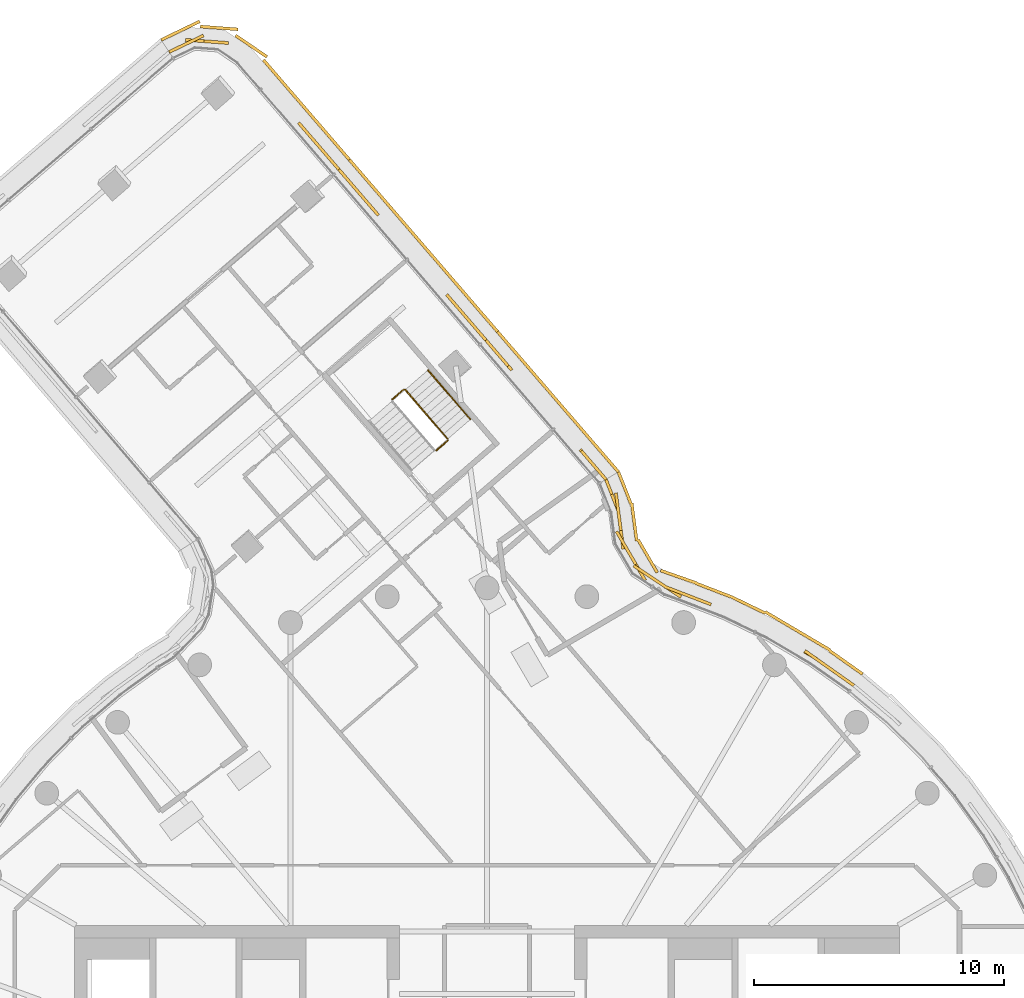
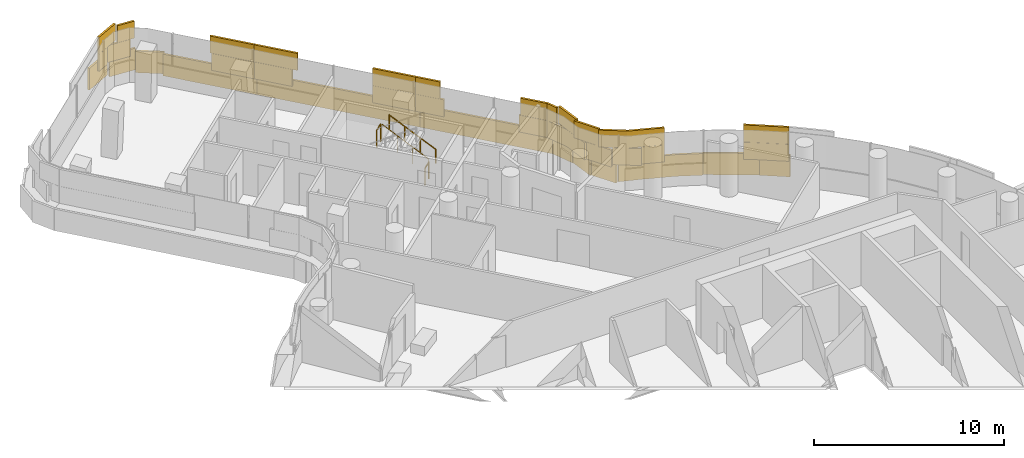
# One storey, part 33 of 34: 4 coverings, 4 railings.
"""IFC4 building model written with IfcOpenShell, lengths in metres."""

from ifc_helpers import new_model, si_unit, direction, frame, origin, origin_2d, place, context, subcontext, project, spatial, rectangle, circle, extrude, material, layer, layer_set, type_object, element, save


model = new_model("IFC4")

# Units and contexts
model_context = context("Model", 3, precision=1e-05, world=origin(), true_north=direction((0.0, 1.0)))
body_context = subcontext(model_context, "Body", "Model", "MODEL_VIEW")
ifc_project = project(units=[si_unit("LENGTHUNIT", "METRE"), si_unit("AREAUNIT", "SQUARE_METRE"), si_unit("VOLUMEUNIT", "CUBIC_METRE"), si_unit("PLANEANGLEUNIT", "RADIAN"), si_unit("MASSUNIT", "GRAM", prefix="KILO")], contexts=[model_context])

# Site, building, storey
site_placement = place(None, origin())
site = spatial("IfcSite", under=ifc_project, at=site_placement, CompositionType="ELEMENT")
building_placement = place(site_placement, origin())
building = spatial("IfcBuilding", under=site, at=building_placement, Name="Tamarind Cross Interchange Tower", CompositionType="ELEMENT")
storey_placement = place(building_placement, frame((0.0, 0.0, 182.5)))
storey = spatial("IfcBuildingStorey", under=building, at=storey_placement, Name="L45", CompositionType="ELEMENT", Elevation=182.5)

# Railings
ifc_material_1 = material(Name="Stair guard")
railing_type_1 = type_object("IfcRailingType", Name="Stair guard", PredefinedType="GUARDRAIL", material=ifc_material_1)
railing_1_placement = place(storey_placement, frame((-1.57421875, 28.95947265625, 0.16357421875)))
element("IfcRailing", 1, at=railing_1_placement, inside=storey, type_object=railing_type_1, Name="L45 ST4 stair guard 1", PredefinedType="GUARDRAIL", context=body_context, shape_type="SweptSolid", body=[
    extrude(circle(Radius=0.02392578125, at=origin_2d()), frame((0.0, 0.0, 1.076171875), z_axis=(-0.552399171702, 0.641167676203, 0.53269049747), x_axis=(-0.757603689801, -0.652714829922, 0.0)), (0.0, 0.0, 1.0), 3.072021484375),
    extrude(circle(Radius=0.02099609375, at=origin_2d()), origin(), (0.0, 0.0, 1.0), 1.052001953125),
    extrude(circle(Radius=0.02099609375, at=origin_2d()), frame((-0.565673828125, 0.656494140625, 0.54541015625)), (0.0, 0.0, 1.0), 1.052001953125),
    extrude(circle(Radius=0.02099609375, at=origin_2d()), frame((-1.13134765625, 1.313232421875, 1.091064453125)), (0.0, 0.0, 1.0), 1.052001953125),
    extrude(circle(Radius=0.02099609375, at=origin_2d()), frame((-1.697021484375, 1.9697265625, 1.636474609375)), (0.0, 0.0, 1.0), 1.052001953125),
])
railing_2_placement = place(storey_placement, frame((-3.341796875, 30.9345703125, 1.800048828125)))
element("IfcRailing", 2, at=railing_2_placement, inside=storey, type_object=railing_type_1, Name="L45 ST4 stair guard 2", PredefinedType="GUARDRAIL", context=body_context, shape_type="SweptSolid", body=[
    extrude(circle(Radius=0.02392578125, at=origin_2d()), frame((0.0, 0.0, 1.076171875), z_axis=(-0.757444645977, -0.652899386032, 0.0), x_axis=(0.652899386032, -0.757444645977, 0.0)), (0.0, 0.0, 1.0), 0.60009765625),
    extrude(circle(Radius=0.02099609375, at=origin_2d()), origin(), (0.0, 0.0, 1.0), 1.052001953125),
    extrude(circle(Radius=0.02099609375, at=origin_2d()), frame((-0.45458984375, -0.391845703125, 0.0)), (0.0, 0.0, 1.0), 1.052001953125),
])
railing_3_placement = place(storey_placement, frame((-1.579345703125, 28.888916015625, 0.0)))
element("IfcRailing", 3, at=railing_3_placement, inside=storey, type_object=railing_type_1, Name="L45 ST4 stair guard 4", PredefinedType="GUARDRAIL", context=body_context, shape_type="SweptSolid", body=[
    extrude(circle(Radius=0.02392578125, at=origin_2d()), frame((0.0, 0.0, 1.076171875), z_axis=(-0.75764583583, -0.652665907987, 0.0), x_axis=(0.652665907987, -0.75764583583, 0.0)), (0.0, 0.0, 1.0), 0.60009765625),
    extrude(circle(Radius=0.02099609375, at=origin_2d()), origin(), (0.0, 0.0, 1.0), 1.052001953125),
    extrude(circle(Radius=0.02099609375, at=origin_2d()), frame((-0.45458984375, -0.3916015625, 0.0)), (0.0, 0.0, 1.0), 1.052001953125),
])
ifc_material_2 = material(Name="Stair handrail")
railing_type_2 = type_object("IfcRailingType", Name="Stair handrail", PredefinedType="HANDRAIL", material=ifc_material_2)
railing_4_placement = place(storey_placement, frame((-0.6650390625, 29.74267578125, 0.16357421875)))
element("IfcRailing", 4, at=railing_4_placement, inside=storey, type_object=railing_type_2, Name="L45 ST4 stair handrail 1", PredefinedType="HANDRAIL", context=body_context, shape_type="SweptSolid", body=[
    extrude(circle(Radius=0.02392578125, at=origin_2d()), frame((0.0, 0.0, 0.8759765625), z_axis=(-0.552399171702, 0.641167676203, 0.53269049747), x_axis=(-0.757603689801, -0.652714829922, 0.0)), (0.0, 0.0, 1.0), 3.072021484375),
    extrude(circle(Radius=0.02099609375, at=origin_2d()), origin(), (0.0, 0.0, 1.0), 0.851806640625),
    extrude(circle(Radius=0.02099609375, at=origin_2d()), frame((-0.565673828125, 0.656494140625, 0.54541015625)), (0.0, 0.0, 1.0), 0.851806640625),
    extrude(circle(Radius=0.02099609375, at=origin_2d()), frame((-1.13134765625, 1.313232421875, 1.091064453125)), (0.0, 0.0, 1.0), 0.851806640625),
    extrude(circle(Radius=0.02099609375, at=origin_2d()), frame((-1.697021484375, 1.9697265625, 1.636474609375)), (0.0, 0.0, 1.0), 0.851806640625),
])

# Coverings
ifc_material_3 = material(Name="Terracotta", Category="masonry")
ifc_layer = layer(ifc_material_3, 0.1201171875)
ifc_layer_set = layer_set([ifc_layer], Name="Terracotta")
covering_type = type_object("IfcCoveringType", Name="Terracotta baguette screen unit", PredefinedType="MOLDING", material=ifc_layer_set)
covering_1_placement = place(storey_placement, origin())
element("IfcCovering", 5, at=covering_1_placement, inside=storey, type_object=covering_type, Name="SCR-L45-10-05", PredefinedType="MOLDING", context=body_context, shape_type="SweptSolid", body=[
    extrude(rectangle(XDim=0.326416015625, YDim=0.1201171875, at=origin_2d()), frame((14.547607421875, 19.187255859375, 1.40380859375), z_axis=(0.0, 0.0, 1.0), x_axis=(-0.816341886298, 0.577568978284, 0.0)), (0.0, 0.0, 1.0), 1.092041015625),
    extrude(rectangle(XDim=1.52001953125, YDim=0.1201171875, at=origin_2d()), frame((13.80615234375, 19.711669921875, 1.40380859375), z_axis=(0.0, 0.0, 1.0), x_axis=(-0.816341886298, 0.577568978284, 0.0)), (0.0, 0.0, 1.0), 1.092041015625),
    extrude(rectangle(XDim=0.587646484375, YDim=0.1201171875, at=origin_2d()), frame((12.950927734375, 20.30078125, 1.40380859375), z_axis=(0.0, 0.0, 1.0), x_axis=(-0.861248933065, 0.508183308752, 0.0)), (0.0, 0.0, 1.0), 1.092041015625),
    extrude(rectangle(XDim=1.232421875, YDim=0.1201171875, at=origin_2d()), frame((8.38916015625, 22.5576171875, 1.40380859375), z_axis=(0.0, 0.0, 1.0), x_axis=(-0.933146843667, 0.359495435512, 0.0)), (0.0, 0.0, 1.0), 1.092041015625),
    extrude(rectangle(XDim=1.52001953125, YDim=0.1201171875, at=origin_2d()), frame((7.1259765625, 23.056396484375, 1.40380859375), z_axis=(0.0, 0.0, 1.0), x_axis=(-0.834136941466, 0.551557397631, 0.0)), (0.0, 0.0, 1.0), 1.092041015625),
    extrude(rectangle(XDim=1.52001953125, YDim=0.1201171875, at=origin_2d()), frame((5.947509765625, 23.952392578125, 1.40380859375), z_axis=(0.0, 0.0, 1.0), x_axis=(-0.504464852663, 0.863432228045, 0.0)), (0.0, 0.0, 1.0), 1.092041015625),
    extrude(rectangle(XDim=1.52001953125, YDim=0.1201171875, at=origin_2d()), frame((5.353515625, 25.30322265625, 1.40380859375), z_axis=(0.0, 0.0, 1.0), x_axis=(-0.130303233197, 0.991474188982, 0.0)), (0.0, 0.0, 1.0), 1.092041015625),
    extrude(rectangle(XDim=1.3974609375, YDim=0.1201171875, at=origin_2d()), frame((5.011474609375, 26.69482421875, 1.40380859375), z_axis=(0.0, 0.0, 1.0), x_axis=(-0.366235065524, 0.930522367695, 0.0)), (0.0, 0.0, 1.0), 1.092041015625),
    extrude(rectangle(XDim=1.076416015625, YDim=0.1201171875, at=origin_2d()), frame((14.241455078125, 19.40380859375, 2.50390625), z_axis=(0.0, 0.0, 1.0), x_axis=(-0.816341886298, 0.577568978284, 0.0)), (0.0, 0.0, 1.0), 1.092041015625),
    extrude(rectangle(XDim=1.337646484375, YDim=0.1201171875, at=origin_2d()), frame((13.26416015625, 20.094970703125, 2.50390625), z_axis=(0.0, 0.0, 1.0), x_axis=(-0.816341886298, 0.577568978284, 0.0)), (0.0, 0.0, 1.0), 1.092041015625),
    extrude(rectangle(XDim=0.482421875, YDim=0.1201171875, at=origin_2d()), frame((8.739013671875, 22.4228515625, 2.50390625), z_axis=(0.0, 0.0, 1.0), x_axis=(-0.933146843667, 0.359495435512, 0.0)), (0.0, 0.0, 1.0), 1.092041015625),
    extrude(rectangle(XDim=1.52001953125, YDim=0.1201171875, at=origin_2d()), frame((7.81884765625, 22.77734375, 2.50390625), z_axis=(0.0, 0.0, 1.0), x_axis=(-0.933146843667, 0.359495435512, 0.0)), (0.0, 0.0, 1.0), 1.092041015625),
    extrude(rectangle(XDim=1.52001953125, YDim=0.1201171875, at=origin_2d()), frame((6.50048828125, 23.469970703125, 2.50390625), z_axis=(0.0, 0.0, 1.0), x_axis=(-0.834136941466, 0.551557397631, 0.0)), (0.0, 0.0, 1.0), 1.092041015625),
    extrude(rectangle(XDim=1.52001953125, YDim=0.1201171875, at=origin_2d()), frame((5.5693359375, 24.60009765625, 2.50390625), z_axis=(0.0, 0.0, 1.0), x_axis=(-0.504464852663, 0.863432228045, 0.0)), (0.0, 0.0, 1.0), 1.092041015625),
    extrude(rectangle(XDim=1.52001953125, YDim=0.1201171875, at=origin_2d()), frame((5.255859375, 26.046875, 2.50390625), z_axis=(0.0, 0.0, 1.0), x_axis=(-0.130303233197, 0.991474188982, 0.0)), (0.0, 0.0, 1.0), 1.092041015625),
    extrude(rectangle(XDim=0.6474609375, YDim=0.1201171875, at=origin_2d()), frame((4.874267578125, 27.043701171875, 2.50390625), z_axis=(0.0, 0.0, 1.0), x_axis=(-0.366235065524, 0.930522367695, 0.0)), (0.0, 0.0, 1.0), 1.092041015625),
    extrude(rectangle(XDim=0.13037109375, YDim=0.1201171875, at=origin_2d()), frame((14.973388671875, 19.5888671875, 0.00390625), z_axis=(0.0, 0.0, 1.0), x_axis=(-0.816341886298, 0.577568978284, 0.0)), (0.0, 0.0, 1.0), 1.39208984375),
    extrude(rectangle(XDim=1.52001953125, YDim=0.1201171875, at=origin_2d()), frame((14.316162109375, 20.053955078125, 0.00390625), z_axis=(0.0, 0.0, 1.0), x_axis=(-0.816341886298, 0.577568978284, 0.0)), (0.0, 0.0, 1.0), 1.39208984375),
    extrude(rectangle(XDim=1.52001953125, YDim=0.1201171875, at=origin_2d()), frame((13.07470703125, 20.894287109375, 0.00390625), z_axis=(0.0, 0.0, 1.0), x_axis=(-0.861248933065, 0.508183308752, 0.0)), (0.0, 0.0, 1.0), 1.39208984375),
    extrude(rectangle(XDim=1.52001953125, YDim=0.1201171875, at=origin_2d()), frame((11.78271484375, 21.656494140625, 0.00390625), z_axis=(0.0, 0.0, 1.0), x_axis=(-0.861248933065, 0.508183308752, 0.0)), (0.0, 0.0, 1.0), 1.39208984375),
    extrude(rectangle(XDim=1.52001953125, YDim=0.1201171875, at=origin_2d()), frame((10.438720703125, 22.3212890625, 0.00390625), z_axis=(0.0, 0.0, 1.0), x_axis=(-0.900272776334, 0.435326231914, 0.0)), (0.0, 0.0, 1.0), 1.39208984375),
    extrude(rectangle(XDim=1.52001953125, YDim=0.1201171875, at=origin_2d()), frame((9.06201171875, 22.91357421875, 0.00390625), z_axis=(0.0, 0.0, 1.0), x_axis=(-0.933146843667, 0.359495435512, 0.0)), (0.0, 0.0, 1.0), 1.39208984375),
    extrude(rectangle(XDim=1.52001953125, YDim=0.1201171875, at=origin_2d()), frame((7.6591796875, 23.44482421875, 0.00390625), z_axis=(0.0, 0.0, 1.0), x_axis=(-0.943748553445, 0.330663980303, 0.0)), (0.0, 0.0, 1.0), 1.39208984375),
    extrude(rectangle(XDim=1.52001953125, YDim=0.1201171875, at=origin_2d()), frame((6.42724609375, 24.269287109375, 0.00390625), z_axis=(0.0, 0.0, 1.0), x_axis=(-0.504464852663, 0.863432228045, 0.0)), (0.0, 0.0, 1.0), 1.39208984375),
    extrude(rectangle(XDim=1.52001953125, YDim=0.1201171875, at=origin_2d()), frame((5.888427734375, 25.638916015625, 0.00390625), z_axis=(0.0, 0.0, 1.0), x_axis=(-0.130303233197, 0.991474188982, 0.0)), (0.0, 0.0, 1.0), 1.39208984375),
    extrude(rectangle(XDim=1.37255859375, YDim=0.1201171875, at=origin_2d()), frame((5.50732421875, 27.002685546875, 0.00390625), z_axis=(0.0, 0.0, 1.0), x_axis=(-0.366235065524, 0.930522367695, 0.0)), (0.0, 0.0, 1.0), 1.39208984375),
])
covering_2_placement = place(storey_placement, origin())
element("IfcCovering", 6, at=covering_2_placement, inside=storey, type_object=covering_type, Name="SCR-L45-11-00", PredefinedType="MOLDING", context=body_context, shape_type="SweptSolid", body=[
    extrude(rectangle(XDim=0.760009765625, YDim=0.1201171875, at=origin_2d()), frame((4.5126953125, 27.62451171875, 1.40380859375), z_axis=(0.0, 0.0, 1.0), x_axis=(-0.652722730074, 0.757596883339, 0.0)), (0.0, 0.0, 1.0), 1.092041015625),
    extrude(rectangle(XDim=0.83642578125, YDim=0.1201171875, at=origin_2d()), frame((3.998046875, 28.2216796875, 1.40380859375), z_axis=(0.0, 0.0, 1.0), x_axis=(-0.652722730074, 0.757596883339, 0.0)), (0.0, 0.0, 1.0), 1.092041015625),
    extrude(rectangle(XDim=0.9833984375, YDim=0.1201171875, at=origin_2d()), frame((0.669189453125, 32.08544921875, 1.40380859375), z_axis=(0.0, 0.0, 1.0), x_axis=(-0.652722730074, 0.757596883339, 0.0)), (0.0, 0.0, 1.0), 1.092041015625),
    extrude(rectangle(XDim=0.613037109375, YDim=0.1201171875, at=origin_2d()), frame((0.15478515625, 32.6826171875, 1.40380859375), z_axis=(0.0, 0.0, 1.0), x_axis=(-0.652722730074, 0.757596883339, 0.0)), (0.0, 0.0, 1.0), 1.092041015625),
    extrude(rectangle(XDim=1.510009765625, YDim=0.1201171875, at=origin_2d()), frame((4.267822265625, 27.908447265625, 2.50390625), z_axis=(0.0, 0.0, 1.0), x_axis=(-0.652722730074, 0.757596883339, 0.0)), (0.0, 0.0, 1.0), 1.092041015625),
    extrude(rectangle(XDim=1.363037109375, YDim=0.1201171875, at=origin_2d()), frame((0.3994140625, 32.3984375, 2.50390625), z_axis=(0.0, 0.0, 1.0), x_axis=(-0.652722730074, 0.757596883339, 0.0)), (0.0, 0.0, 1.0), 1.092041015625),
    extrude(rectangle(XDim=0.760009765625, YDim=0.1201171875, at=origin_2d()), frame((5.0078125, 27.92919921875, 0.00390625), z_axis=(0.0, 0.0, 1.0), x_axis=(-0.652722730074, 0.757596883339, 0.0)), (0.0, 0.0, 1.0), 1.39208984375),
    extrude(rectangle(XDim=1.52001953125, YDim=0.1201171875, at=origin_2d()), frame((4.27685546875, 28.777587890625, 0.00390625), z_axis=(0.0, 0.0, 1.0), x_axis=(-0.652722730074, 0.757596883339, 0.0)), (0.0, 0.0, 1.0), 1.39208984375),
    extrude(rectangle(XDim=1.52001953125, YDim=0.1201171875, at=origin_2d()), frame((3.297607421875, 29.9140625, 0.00390625), z_axis=(0.0, 0.0, 1.0), x_axis=(-0.652722730074, 0.757596883339, 0.0)), (0.0, 0.0, 1.0), 1.39208984375),
    extrude(rectangle(XDim=1.52001953125, YDim=0.1201171875, at=origin_2d()), frame((2.318603515625, 31.05029296875, 0.00390625), z_axis=(0.0, 0.0, 1.0), x_axis=(-0.652722730074, 0.757596883339, 0.0)), (0.0, 0.0, 1.0), 1.39208984375),
    extrude(rectangle(XDim=1.52001953125, YDim=0.1201171875, at=origin_2d()), frame((1.339599609375, 32.186767578125, 0.00390625), z_axis=(0.0, 0.0, 1.0), x_axis=(-0.652722730074, 0.757596883339, 0.0)), (0.0, 0.0, 1.0), 1.39208984375),
    extrude(rectangle(XDim=0.670166015625, YDim=0.1201171875, at=origin_2d()), frame((0.637939453125, 33.001220703125, 0.00390625), z_axis=(0.0, 0.0, 1.0), x_axis=(-0.652722730074, 0.757596883339, 0.0)), (0.0, 0.0, 1.0), 1.39208984375),
])
covering_3_placement = place(storey_placement, origin())
element("IfcCovering", 7, at=covering_3_placement, inside=storey, type_object=covering_type, Name="SCR-L45-11-01", PredefinedType="MOLDING", context=body_context, shape_type="SweptSolid", body=[
    extrude(rectangle(XDim=0.906982421875, YDim=0.1201171875, at=origin_2d()), frame((-0.334716796875, 33.250732421875, 1.40380859375), z_axis=(0.0, 0.0, 1.0), x_axis=(-0.652722730074, 0.757596883339, 0.0)), (0.0, 0.0, 1.0), 1.092041015625),
    extrude(rectangle(XDim=1.52001953125, YDim=0.1201171875, at=origin_2d()), frame((-1.116943359375, 34.15869140625, 1.40380859375), z_axis=(0.0, 0.0, 1.0), x_axis=(-0.652722730074, 0.757596883339, 0.0)), (0.0, 0.0, 1.0), 1.092041015625),
    extrude(rectangle(XDim=1.52001953125, YDim=0.1201171875, at=origin_2d()), frame((-5.033447265625, 38.704345703125, 1.40380859375), z_axis=(0.0, 0.0, 1.0), x_axis=(-0.652722730074, 0.757596883339, 0.0)), (0.0, 0.0, 1.0), 1.092041015625),
    extrude(rectangle(XDim=0.6240234375, YDim=0.1201171875, at=origin_2d()), frame((-5.723388671875, 39.505126953125, 1.40380859375), z_axis=(0.0, 0.0, 1.0), x_axis=(-0.652722730074, 0.757596883339, 0.0)), (0.0, 0.0, 1.0), 1.092041015625),
    extrude(rectangle(XDim=0.156982421875, YDim=0.1201171875, at=origin_2d()), frame((-0.090087890625, 32.966796875, 2.50390625), z_axis=(0.0, 0.0, 1.0), x_axis=(-0.652722730074, 0.757596883339, 0.0)), (0.0, 0.0, 1.0), 1.092041015625),
    extrude(rectangle(XDim=1.52001953125, YDim=0.1201171875, at=origin_2d()), frame((-0.62744140625, 33.590576171875, 2.50390625), z_axis=(0.0, 0.0, 1.0), x_axis=(-0.652722730074, 0.757596883339, 0.0)), (0.0, 0.0, 1.0), 1.092041015625),
    extrude(rectangle(XDim=0.7685546875, YDim=0.1201171875, at=origin_2d()), frame((-1.36474609375, 34.446044921875, 2.50390625), z_axis=(0.0, 0.0, 1.0), x_axis=(-0.652722730074, 0.757596883339, 0.0)), (0.0, 0.0, 1.0), 1.092041015625),
    extrude(rectangle(XDim=1.051513671875, YDim=0.1201171875, at=origin_2d()), frame((-4.693603515625, 38.309814453125, 2.50390625), z_axis=(0.0, 0.0, 1.0), x_axis=(-0.652722730074, 0.757596883339, 0.0)), (0.0, 0.0, 1.0), 1.092041015625),
    extrude(rectangle(XDim=1.3740234375, YDim=0.1201171875, at=origin_2d()), frame((-5.478515625, 39.220947265625, 2.50390625), z_axis=(0.0, 0.0, 1.0), x_axis=(-0.652722730074, 0.757596883339, 0.0)), (0.0, 0.0, 1.0), 1.092041015625),
    extrude(rectangle(XDim=0.849853515625, YDim=0.1201171875, at=origin_2d()), frame((0.141845703125, 33.5771484375, 0.00390625), z_axis=(0.0, 0.0, 1.0), x_axis=(-0.652722730074, 0.757596883339, 0.0)), (0.0, 0.0, 1.0), 1.39208984375),
    extrude(rectangle(XDim=1.52001953125, YDim=0.1201171875, at=origin_2d()), frame((-0.61865234375, 34.459716796875, 0.00390625), z_axis=(0.0, 0.0, 1.0), x_axis=(-0.652722730074, 0.757596883339, 0.0)), (0.0, 0.0, 1.0), 1.39208984375),
    extrude(rectangle(XDim=1.52001953125, YDim=0.1201171875, at=origin_2d()), frame((-1.59765625, 35.595947265625, 0.00390625), z_axis=(0.0, 0.0, 1.0), x_axis=(-0.652722730074, 0.757596883339, 0.0)), (0.0, 0.0, 1.0), 1.39208984375),
    extrude(rectangle(XDim=1.52001953125, YDim=0.1201171875, at=origin_2d()), frame((-2.576904296875, 36.732421875, 0.00390625), z_axis=(0.0, 0.0, 1.0), x_axis=(-0.652722730074, 0.757596883339, 0.0)), (0.0, 0.0, 1.0), 1.39208984375),
    extrude(rectangle(XDim=1.52001953125, YDim=0.1201171875, at=origin_2d()), frame((-3.555908203125, 37.868896484375, 0.00390625), z_axis=(0.0, 0.0, 1.0), x_axis=(-0.652722730074, 0.757596883339, 0.0)), (0.0, 0.0, 1.0), 1.39208984375),
    extrude(rectangle(XDim=1.52001953125, YDim=0.1201171875, at=origin_2d()), frame((-4.534912109375, 39.005126953125, 0.00390625), z_axis=(0.0, 0.0, 1.0), x_axis=(-0.652722730074, 0.757596883339, 0.0)), (0.0, 0.0, 1.0), 1.39208984375),
    extrude(rectangle(XDim=0.751220703125, YDim=0.1201171875, at=origin_2d()), frame((-5.26318359375, 39.850341796875, 0.00390625), z_axis=(0.0, 0.0, 1.0), x_axis=(-0.652722730074, 0.757596883339, 0.0)), (0.0, 0.0, 1.0), 1.39208984375),
])
covering_4_placement = place(storey_placement, origin())
element("IfcCovering", 8, at=covering_4_placement, inside=storey, type_object=covering_type, Name="SCR-L45-11-02", PredefinedType="MOLDING", context=body_context, shape_type="SweptSolid", body=[
    extrude(rectangle(XDim=0.89599609375, YDim=0.1201171875, at=origin_2d()), frame((-6.212890625, 40.0732421875, 1.40380859375), z_axis=(0.0, 0.0, 1.0), x_axis=(-0.652722730074, 0.757596883339, 0.0)), (0.0, 0.0, 1.0), 1.092041015625),
    extrude(rectangle(XDim=1.52001953125, YDim=0.1201171875, at=origin_2d()), frame((-6.991455078125, 40.97705078125, 1.40380859375), z_axis=(0.0, 0.0, 1.0), x_axis=(-0.652722730074, 0.757596883339, 0.0)), (0.0, 0.0, 1.0), 1.092041015625),
    extrude(rectangle(XDim=1.52001953125, YDim=0.1201171875, at=origin_2d()), frame((-11.315185546875, 44.875244140625, 1.40380859375), z_axis=(0.0, 0.0, 1.0), x_axis=(-0.997246562285, 0.074157224945, 0.0)), (0.0, 0.0, 1.0), 1.092041015625),
    extrude(rectangle(XDim=0.772705078125, YDim=0.1201171875, at=origin_2d()), frame((-12.376953125, 44.6083984375, 1.40380859375), z_axis=(0.0, 0.0, 1.0), x_axis=(-0.900719469248, -0.434401240466, 0.0)), (0.0, 0.0, 1.0), 1.092041015625),
    extrude(rectangle(XDim=0.14599609375, YDim=0.1201171875, at=origin_2d()), frame((-5.968017578125, 39.789306640625, 2.50390625), z_axis=(0.0, 0.0, 1.0), x_axis=(-0.652722730074, 0.757596883339, 0.0)), (0.0, 0.0, 1.0), 1.092041015625),
    extrude(rectangle(XDim=1.52001953125, YDim=0.1201171875, at=origin_2d()), frame((-6.501953125, 40.408935546875, 2.50390625), z_axis=(0.0, 0.0, 1.0), x_axis=(-0.652722730074, 0.757596883339, 0.0)), (0.0, 0.0, 1.0), 1.092041015625),
    extrude(rectangle(XDim=0.848388671875, YDim=0.1201171875, at=origin_2d()), frame((-7.26513671875, 41.294677734375, 2.50390625), z_axis=(0.0, 0.0, 1.0), x_axis=(-0.652722730074, 0.757596883339, 0.0)), (0.0, 0.0, 1.0), 1.092041015625),
    extrude(rectangle(XDim=0.971435546875, YDim=0.1201171875, at=origin_2d()), frame((-10.8359375, 44.839599609375, 2.50390625), z_axis=(0.0, 0.0, 1.0), x_axis=(-0.997246562285, 0.074157224945, 0.0)), (0.0, 0.0, 1.0), 1.092041015625),
    extrude(rectangle(XDim=1.52001953125, YDim=0.1201171875, at=origin_2d()), frame((-12.033447265625, 44.774169921875, 2.50390625), z_axis=(0.0, 0.0, 1.0), x_axis=(-0.900719469248, -0.434401240466, 0.0)), (0.0, 0.0, 1.0), 1.092041015625),
    extrude(rectangle(XDim=0.768798828125, YDim=0.1201171875, at=origin_2d()), frame((-5.75927734375, 40.426025390625, 0.00390625), z_axis=(0.0, 0.0, 1.0), x_axis=(-0.652722730074, 0.757596883339, 0.0)), (0.0, 0.0, 1.0), 1.39208984375),
    extrude(rectangle(XDim=1.52001953125, YDim=0.1201171875, at=origin_2d()), frame((-6.4931640625, 41.278076171875, 0.00390625), z_axis=(0.0, 0.0, 1.0), x_axis=(-0.652722730074, 0.757596883339, 0.0)), (0.0, 0.0, 1.0), 1.39208984375),
    extrude(rectangle(XDim=1.52001953125, YDim=0.1201171875, at=origin_2d()), frame((-7.47216796875, 42.414306640625, 0.00390625), z_axis=(0.0, 0.0, 1.0), x_axis=(-0.652722730074, 0.757596883339, 0.0)), (0.0, 0.0, 1.0), 1.39208984375),
    extrude(rectangle(XDim=1.52001953125, YDim=0.1201171875, at=origin_2d()), frame((-8.451171875, 43.55078125, 0.00390625), z_axis=(0.0, 0.0, 1.0), x_axis=(-0.652722730074, 0.757596883339, 0.0)), (0.0, 0.0, 1.0), 1.39208984375),
    extrude(rectangle(XDim=1.52001953125, YDim=0.1201171875, at=origin_2d()), frame((-9.437255859375, 44.679443359375, 0.00390625), z_axis=(0.0, 0.0, 1.0), x_axis=(-0.826562244303, 0.562845321819, 0.0)), (0.0, 0.0, 1.0), 1.39208984375),
    extrude(rectangle(XDim=1.52001953125, YDim=0.1201171875, at=origin_2d()), frame((-10.718017578125, 45.406494140625, 0.00390625), z_axis=(0.0, 0.0, 1.0), x_axis=(-0.997246562285, 0.074157224945, 0.0)), (0.0, 0.0, 1.0), 1.39208984375),
    extrude(rectangle(XDim=1.52001953125, YDim=0.1201171875, at=origin_2d()), frame((-12.180419921875, 45.340576171875, 0.00390625), z_axis=(0.0, 0.0, 1.0), x_axis=(-0.900719469248, -0.434401240466, 0.0)), (0.0, 0.0, 1.0), 1.39208984375),
    extrude(rectangle(XDim=0.212158203125, YDim=0.1201171875, at=origin_2d()), frame((-12.9423828125, 44.972900390625, 0.00390625), z_axis=(0.0, 0.0, 1.0), x_axis=(-0.900719469248, -0.434401240466, 0.0)), (0.0, 0.0, 1.0), 1.39208984375),
])

save(model, "model.ifc")
